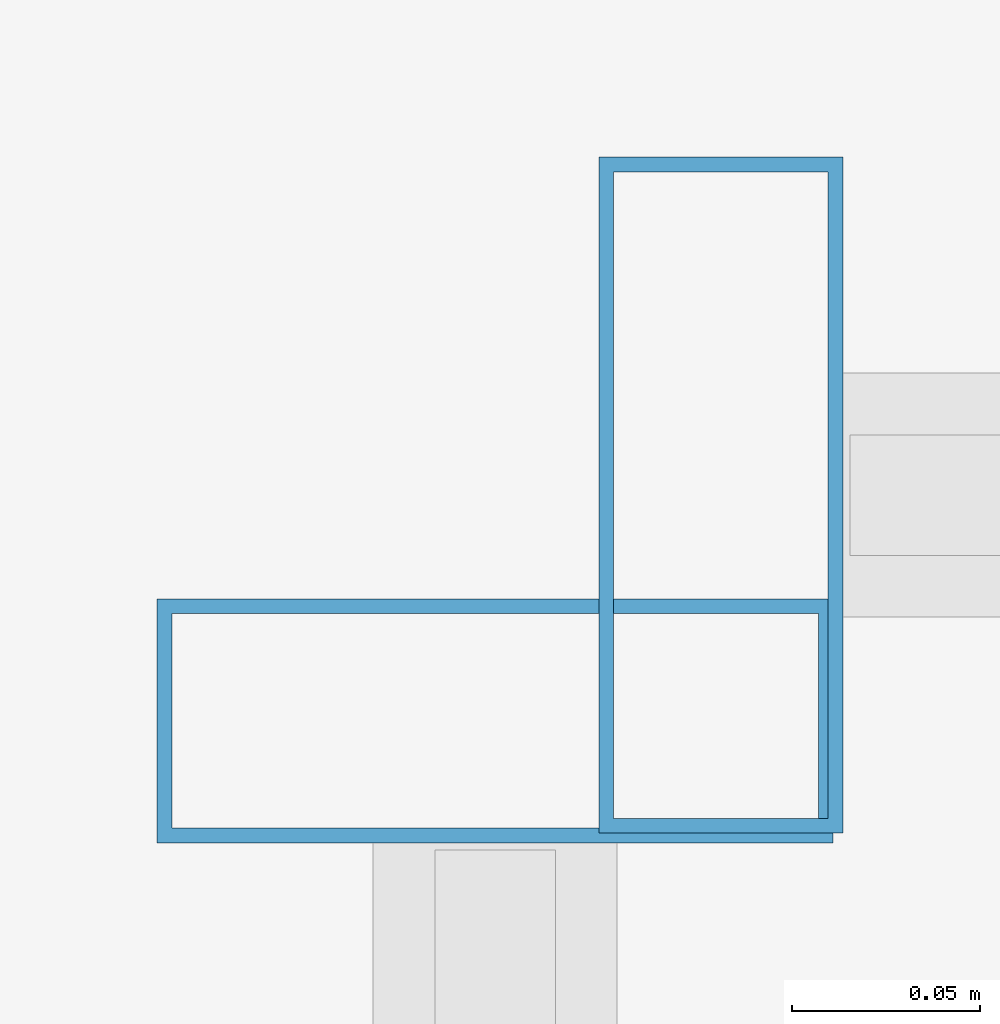
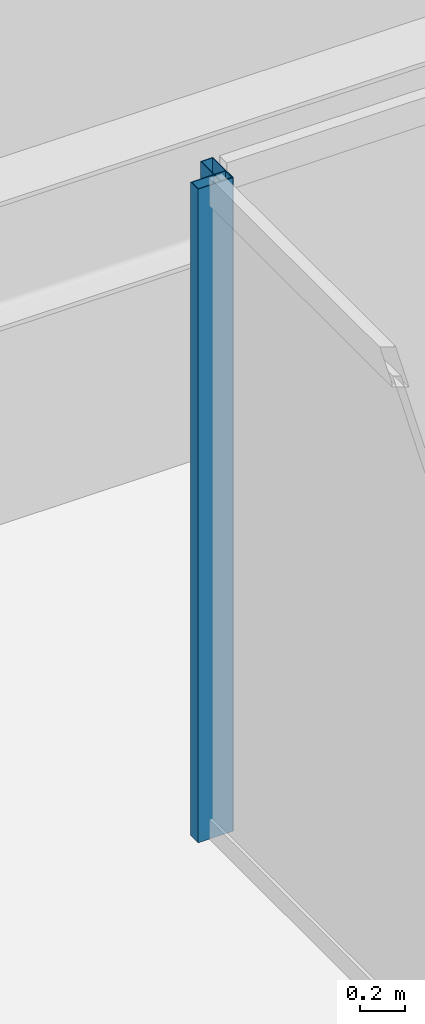
# One storey, part 13 of 35: 2 members, 2 elements without a shape of their own.
"""IFC4 building model written with IfcOpenShell, lengths in metres."""

import ifcopenshell
import ifcopenshell.guid

model = None  # the IFC model being written
_history = None  # IfcOwnerHistory: only IFC2X3 demands one
_inside = {}  # id of a spatial element -> (the spatial element, [elements in it])
_under = {}  # id of a project, library or spatial element -> (it, [spatial elements below it])
_declared = {}  # id of a project -> (the project, [libraries it declares])
_typed = {}  # id of a type object -> (the type object, [elements of that type])
_made_of = {}  # id of a material, layer set ... -> (it, [elements and type objects made of it])


def new_model(schema):
    """Start an empty IFC model of exactly this schema.

    Asked for "IFC4X3", IfcOpenShell would pick the latest addendum, in which some entities
    have other attributes; the version numbers below select the first issue.
    IFC2X3 requires an IfcOwnerHistory on every rooted entity: one is made here for all.
    """
    global model, _history
    if schema == "IFC4X3":
        model = ifcopenshell.file(schema_version=(4, 3, 0, 0))
    else:
        model = ifcopenshell.file(schema=schema)
    _inside.clear()
    _under.clear()
    _declared.clear()
    _typed.clear()
    _made_of.clear()
    _history = None
    if model.schema == "IFC2X3":
        org = make("IfcOrganization", Name="unknown")
        user = make(
            "IfcPersonAndOrganization",
            ThePerson=make("IfcPerson", FamilyName="unknown"),
            TheOrganization=org,
        )
        app = make(
            "IfcApplication",
            ApplicationDeveloper=org,
            Version="unknown",
            ApplicationFullName="unknown",
            ApplicationIdentifier="unknown",
        )
        _history = make(
            "IfcOwnerHistory",
            OwningUser=user,
            OwningApplication=app,
            ChangeAction="ADDED",
            CreationDate=0,
        )
    return model


def make(cls, **values):
    """One entity of the class cls with the attributes given. An attribute that is None is left unset."""
    return model.create_entity(
        cls, **{name: value for name, value in values.items() if value is not None}
    )


def rooted(cls, **values):
    """An entity with a GlobalId (a new one), such as an element, a storey or a relation."""
    return make(cls, GlobalId=ifcopenshell.guid.new(), OwnerHistory=_history, **values)


def si_unit(unit_type, name, prefix=None):
    """IfcSIUnit, for example si_unit("LENGTHUNIT", "METRE", prefix="MILLI")."""
    return make("IfcSIUnit", UnitType=unit_type, Prefix=prefix, Name=name)


def assignment(units):
    """IfcUnitAssignment: the units of a project."""
    return None if units is None else make("IfcUnitAssignment", Units=units)


def point(xyz):
    """IfcCartesianPoint."""
    return None if xyz is None else make("IfcCartesianPoint", Coordinates=xyz)


def direction(xyz):
    """IfcDirection."""
    return None if xyz is None else make("IfcDirection", DirectionRatios=xyz)


def frame(location, z_axis=None, x_axis=None):
    """IfcAxis2Placement3D, a coordinate frame: its origin and axes. An axis left out is left unset."""
    return make(
        "IfcAxis2Placement3D",
        Location=point(location),
        Axis=direction(z_axis),
        RefDirection=direction(x_axis),
    )


def frame_2d(location, x_axis=None):
    """IfcAxis2Placement2D, a coordinate frame in the plane: its origin and x axis."""
    return make(
        "IfcAxis2Placement2D", Location=point(location), RefDirection=direction(x_axis)
    )


def origin():
    """The frame at (0, 0, 0) with its axes left unset."""
    return frame((0.0, 0.0, 0.0))


def origin_2d():
    """The frame at (0, 0) in the plane with its x axis left unset."""
    return frame_2d((0.0, 0.0))


def place(relative_to, where):
    """IfcLocalPlacement: puts the frame where relative to a parent placement (None: the world)."""
    return make(
        "IfcLocalPlacement", PlacementRelTo=relative_to, RelativePlacement=where
    )


def context(
    kind, dimensions, precision=None, world=None, true_north=None, identifier=None
):
    """IfcGeometricRepresentationContext, for example the 3D "Model" context."""
    return make(
        "IfcGeometricRepresentationContext",
        ContextIdentifier=identifier,
        ContextType=kind,
        CoordinateSpaceDimension=dimensions,
        Precision=precision,
        WorldCoordinateSystem=world,
        TrueNorth=true_north,
    )


def subcontext(parent, identifier, kind, view, scale=None):
    """IfcGeometricRepresentationSubContext, for example "Body" below "Model"."""
    return make(
        "IfcGeometricRepresentationSubContext",
        ContextIdentifier=identifier,
        ContextType=kind,
        ParentContext=parent,
        TargetScale=scale,
        TargetView=view,
    )


def project(units=None, contexts=None):
    """IfcProject with its units and contexts."""
    return rooted(
        "IfcProject",
        Name="project",
        RepresentationContexts=contexts,
        UnitsInContext=assignment(units),
    )


def spatial(cls, under=None, at=None, **own):
    """A site, building, storey or space (cls), placed at a placement, below another one or the project."""
    s = rooted(cls, ObjectPlacement=at, **own)
    if under is not None:
        _under.setdefault(under.id(), (under, []))[1].append(s)
    return s


def profile(cls, at=None, kind="AREA", **sizes):
    """A parametric profile (cls). Its sizes go by their IFC names, for example OverallWidth=200.0."""
    return make(cls, ProfileType=kind, Position=at, **sizes)


def hollow_rectangle(**sizes):
    """IfcRectangleHollowProfileDef."""
    return profile("IfcRectangleHollowProfileDef", **sizes)


def extrude(swept, where, along, depth):
    """IfcExtrudedAreaSolid: the profile swept, set in the frame where, extruded along a direction by depth."""
    return make(
        "IfcExtrudedAreaSolid",
        SweptArea=swept,
        Position=where,
        ExtrudedDirection=direction(along),
        Depth=depth,
    )


def shape(context_of_items, identifier, shape_type, items):
    """IfcShapeRepresentation: the items that make up one representation, for example the "Body"."""
    return make(
        "IfcShapeRepresentation",
        ContextOfItems=context_of_items,
        RepresentationIdentifier=identifier,
        RepresentationType=shape_type,
        Items=items,
    )


def material(Name=None, Category=None):
    """IfcMaterial."""
    return make("IfcMaterial", Name=Name, Category=Category)


def material_profile(
    of_material, cross_section, Name=None, Category=None, Priority=None
):
    """IfcMaterialProfile: a cross section and its material."""
    return make(
        "IfcMaterialProfile",
        Name=Name,
        Material=of_material,
        Profile=cross_section,
        Priority=Priority,
        Category=Category,
    )


def profile_set(profiles, Name=None, composite=None):
    """IfcMaterialProfileSet."""
    return make(
        "IfcMaterialProfileSet",
        Name=Name,
        MaterialProfiles=profiles,
        CompositeProfile=composite,
    )


def made_of(thing, what):
    """Note that an element or type object is made of a material, layer set ...; save() writes the relation."""
    if what is not None:
        _made_of.setdefault(what.id(), (what, []))[1].append(thing)
    return thing


def type_object(cls, material=None, **own):
    """A type object (cls), such as IfcWallType, which elements share."""
    return made_of(rooted(cls, **own), material)


def element(
    cls,
    number,
    at=None,
    inside=None,
    cuts=None,
    type_object=None,
    material=None,
    context=None,
    identifier="Body",
    shape_type=None,
    held_by="IfcProductDefinitionShape",
    body=None,
    shapes=None,
    **own,
):
    """One element of the class cls, such as IfcWall. Its Tag is "e" and its number.

    at: its placement. inside: the storey or other place that contains it. cuts: it is an
    opening in that element (IfcRelVoidsElement). A single representation is given by context,
    identifier, shape_type and body (its items); several are given by shapes. held_by: the class
    of the entity that holds the representations. save() writes the other relations.
    """
    e = rooted(cls, Tag="e%d" % number, ObjectPlacement=at, **own)
    if body is not None:
        shapes = [shape(context, identifier, shape_type, body)]
    if shapes is not None:
        e.Representation = make(held_by, Representations=shapes)
    if inside is not None:
        _inside.setdefault(inside.id(), (inside, []))[1].append(e)
    if cuts is not None:
        rooted(
            "IfcRelVoidsElement", RelatingBuildingElement=cuts, RelatedOpeningElement=e
        )
    if type_object is not None:
        _typed.setdefault(type_object.id(), (type_object, []))[1].append(e)
    return made_of(e, material)


def aggregate(whole, parts):
    """IfcRelAggregates: a whole, such as a stair, and the parts it consists of."""
    return rooted("IfcRelAggregates", RelatingObject=whole, RelatedObjects=parts)


def save(model, path):
    """Write the relations noted so far, then the file.

    IfcRelAggregates (storeys below a building ...), IfcRelContainedInSpatialStructure (elements
    in a storey), IfcRelDefinesByType, IfcRelAssociatesMaterial and IfcRelDeclares: one each for
    every whole, place, type object, material and project.
    """
    for whole, parts in _under.values():
        aggregate(whole, parts)
    for where, things in _inside.values():
        rooted(
            "IfcRelContainedInSpatialStructure",
            RelatedElements=things,
            RelatingStructure=where,
        )
    for kind, things in _typed.values():
        rooted("IfcRelDefinesByType", RelatedObjects=things, RelatingType=kind)
    for what, things in _made_of.values():
        rooted("IfcRelAssociatesMaterial", RelatedObjects=things, RelatingMaterial=what)
    for by, libraries in _declared.values():
        rooted("IfcRelDeclares", RelatingContext=by, RelatedDefinitions=libraries)
    model.write(path)


model = new_model("IFC4")

# Units and contexts
model_context = context("Model", 3, precision=1e-05, world=origin(), true_north=direction((0.0, 1.0)))
body_context = subcontext(model_context, "Body", "Model", "MODEL_VIEW")
ifc_project = project(units=[si_unit("LENGTHUNIT", "METRE"), si_unit("AREAUNIT", "SQUARE_METRE"), si_unit("VOLUMEUNIT", "CUBIC_METRE"), si_unit("PLANEANGLEUNIT", "RADIAN"), si_unit("MASSUNIT", "GRAM", prefix="KILO")], contexts=[model_context])

# Site, building, storey
site_placement = place(None, origin())
site = spatial("IfcSite", under=ifc_project, at=site_placement, CompositionType="ELEMENT")
building_placement = place(site_placement, origin())
building = spatial("IfcBuilding", under=site, at=building_placement, Name="Saevonmaru Cultural Tower", CompositionType="ELEMENT")
storey_placement = place(building_placement, frame((0.0, 0.0, 194.199951171875)))
storey = spatial("IfcBuildingStorey", under=building, at=storey_placement, Name="L44", CompositionType="ELEMENT", Elevation=194.199951171875)

# Curtain wall, member
ifc_material = material(Name="Satin Bronze Anodised Aluminium", Category="aluminium")
curtain_wall_type = type_object("IfcCurtainWallType", Name="CW-ATR-GLZ", PredefinedType="NOTDEFINED", material=ifc_material)
curtain_wall_1_placement = place(storey_placement, origin())
curtain_wall_1 = element("IfcCurtainWall", 1, at=curtain_wall_1_placement, inside=storey, type_object=curtain_wall_type, Name="L44 Vertical Atrium Glazed Smoke Screen 3", PredefinedType="NOTDEFINED")
ifc_material_profile = material_profile(ifc_material, hollow_rectangle(XDim=0.06494140625, YDim=0.179931640625, WallThickness=0.00390625, at=origin_2d()), Name="ALU-MULL-180x65x4")
ifc_profile_set = profile_set([ifc_material_profile], Name="Satin Bronze Anodised Aluminium")
member_type = type_object("IfcMemberType", Name="ML-CW-INT-180x65", PredefinedType="MULLION", material=ifc_profile_set)
member_1_placement = place(storey_placement, frame((24.110107421875, 36.7900390625, 0.0), z_axis=(0.0, 0.0, 1.0), x_axis=(-1.0, 0.0, 0.0)))
member_1 = element("IfcMember", 2, at=member_1_placement, type_object=member_type, Name="CW-ATR-L44-3 mullion 2", PredefinedType="MULLION", context=body_context, shape_type="SweptSolid", body=[
    extrude(hollow_rectangle(XDim=0.06494140625, YDim=0.179931640625, WallThickness=0.00390625, at=origin_2d()), origin(), (0.0, 0.0, 1.0), 3.550048828125),
])
aggregate(curtain_wall_1, [member_1])

curtain_wall_2_placement = place(storey_placement, origin())
curtain_wall_2 = element("IfcCurtainWall", 3, at=curtain_wall_2_placement, inside=storey, type_object=curtain_wall_type, Name="L44 Vertical Atrium Glazed Smoke Screen 4", PredefinedType="NOTDEFINED")
member_2_placement = place(storey_placement, frame((24.050048828125, 36.72998046875, 0.0), z_axis=(0.0, 0.0, 1.0), x_axis=(0.0, -1.0, 0.0)))
member_2 = element("IfcMember", 4, at=member_2_placement, type_object=member_type, Name="CW-ATR-L44-4 mullion 1", PredefinedType="MULLION", context=body_context, shape_type="SweptSolid", body=[
    extrude(hollow_rectangle(XDim=0.06494140625, YDim=0.179931640625, WallThickness=0.00390625, at=origin_2d()), origin(), (0.0, 0.0, 1.0), 3.550048828125),
])
aggregate(curtain_wall_2, [member_2])

save(model, "model.ifc")
